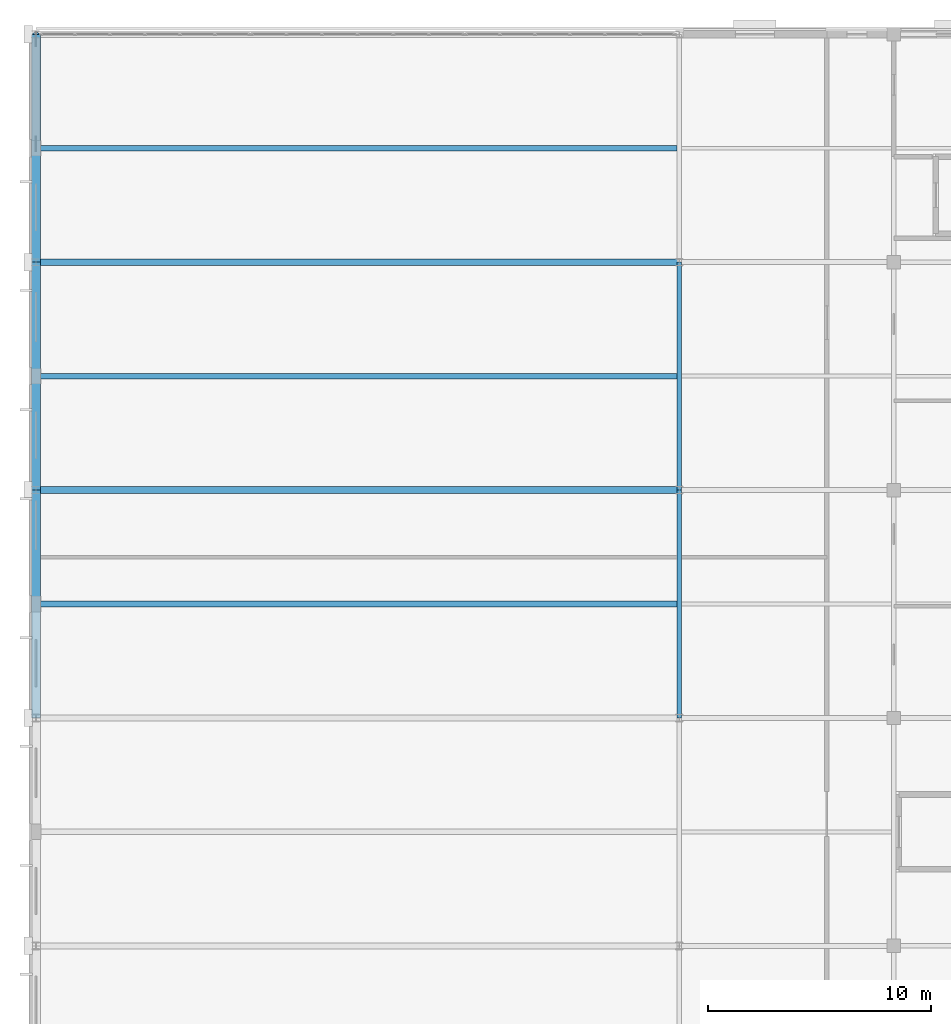
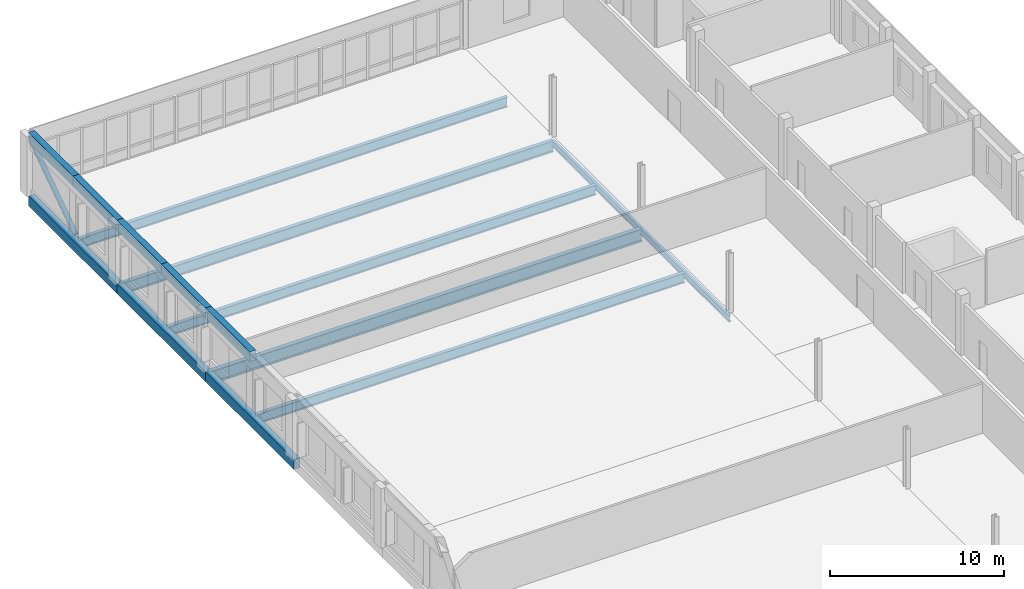
# One storey, part 65 of 185: 15 beams, 1 member.
"""IFC4 building model written with IfcOpenShell, lengths in metres."""

from ifc_helpers import new_model, si_unit, direction, frame, origin, origin_2d, place, context, subcontext, project, spatial, rectangle, hollow_circle, i_section, extrude, material, material_profile, profile_set, type_object, element, save


model = new_model("IFC4")

# Units and contexts
model_context = context("Model", 3, precision=1e-05, world=origin(), true_north=direction((0.0, 1.0)))
body_context = subcontext(model_context, "Body", "Model", "MODEL_VIEW")
ifc_project = project(units=[si_unit("LENGTHUNIT", "METRE"), si_unit("AREAUNIT", "SQUARE_METRE"), si_unit("VOLUMEUNIT", "CUBIC_METRE"), si_unit("PLANEANGLEUNIT", "RADIAN"), si_unit("MASSUNIT", "GRAM", prefix="KILO")], contexts=[model_context])

# Site, building, storey
site_placement = place(None, origin())
site = spatial("IfcSite", under=ifc_project, at=site_placement, CompositionType="ELEMENT")
building_placement = place(site_placement, origin())
building = spatial("IfcBuilding", under=site, at=building_placement, Name="Vondelvale Polytechnic", CompositionType="ELEMENT")
storey_placement = place(building_placement, frame((0.0, 0.0, 9.60009765625)))
storey = spatial("IfcBuildingStorey", under=building, at=storey_placement, Name="L02", CompositionType="ELEMENT", Elevation=9.60009765625)

# Beams
ifc_material_1 = material(Name="Steel 300PLUS (fy = 300 MPa)", Category="steel")
ifc_material_profile_1 = material_profile(ifc_material_1, i_section(OverallWidth=0.18994140625, OverallDepth=0.45703125, WebThickness=0.009033203125, FlangeThickness=0.014404296875, FilletRadius=0.011474609375, at=origin_2d()), Name="460UB74.6")
ifc_profile_set_1 = profile_set([ifc_material_profile_1], Name="Steel 300PLUS (fy = 300 MPa)")
beam_type_1 = type_object("IfcBeamType", Name="BM-UB460", PredefinedType="BEAM", material=ifc_profile_set_1)
for number, where, z_axis, x_axis, name in (
    (1, (28.800048828125, 91.800048828125, -0.508544921875), (0.0, 1.0, 0.0), (-1.0, 0.0, 0.0), "L02 B B-13"),
    (2, (28.800048828125, 102.0, -0.508544921875), (0.0, 1.0, 0.0), (-1.0, 0.0, 0.0), "L02 B B-13"),
):
    element("IfcBeam", number, at=place(storey_placement, frame(where, z_axis=z_axis, x_axis=x_axis)), inside=storey, type_object=beam_type_1, Name=name, PredefinedType="BEAM", context=body_context, shape_type="SweptSolid", body=[
        extrude(i_section(OverallWidth=0.18994140625, OverallDepth=0.45703125, WebThickness=0.009033203125, FlangeThickness=0.014404296875, FilletRadius=0.011474609375, at=origin_2d()), origin(), (0.0, 0.0, 1.0), 10.199951171875),
    ])
ifc_material_profile_2 = material_profile(ifc_material_1, i_section(OverallWidth=0.25, OverallDepth=0.69189453125, WebThickness=0.009033203125, FlangeThickness=0.011962890625, FilletRadius=0.013916015625, at=origin_2d()), Name="700WB115")
ifc_profile_set_2 = profile_set([ifc_material_profile_2], Name="Steel 300PLUS (fy = 300 MPa)")
beam_type_2 = type_object("IfcBeamType", Name="BM-WB700L", PredefinedType="BEAM", material=ifc_profile_set_2)
for number, where, z_axis, x_axis, name in (
    (3, (0.199951171875, 96.89990234375, -0.6259765625), (1.0, 0.0, 0.0), (0.0, 1.0, 0.0), "L02 J B-19"),
    (4, (0.199951171875, 107.10009765625, -0.6259765625), (1.0, 0.0, 0.0), (0.0, 1.0, 0.0), "L02 J B-19"),
    (5, (0.199951171875, 117.300048828125, -0.6259765625), (1.0, 0.0, 0.0), (0.0, 1.0, 0.0), "L02 J B-19"),
):
    element("IfcBeam", number, at=place(storey_placement, frame(where, z_axis=z_axis, x_axis=x_axis)), inside=storey, type_object=beam_type_2, Name=name, PredefinedType="BEAM", context=body_context, shape_type="SweptSolid", body=[
        extrude(i_section(OverallWidth=0.25, OverallDepth=0.69189453125, WebThickness=0.009033203125, FlangeThickness=0.011962890625, FilletRadius=0.013916015625, at=origin_2d()), origin(), (0.0, 0.0, 1.0), 28.5),
    ])
ifc_material_profile_3 = material_profile(ifc_material_1, i_section(OverallWidth=0.27490234375, OverallDepth=0.7919921875, WebThickness=0.009033203125, FlangeThickness=0.01611328125, FilletRadius=0.013916015625, at=origin_2d()), Name="800WB146")
ifc_profile_set_3 = profile_set([ifc_material_profile_3], Name="Steel 300PLUS (fy = 300 MPa)")
beam_type_3 = type_object("IfcBeamType", Name="BM-WB800L", PredefinedType="BEAM", material=ifc_profile_set_3)
beam_1_placement = place(storey_placement, frame((0.0, 112.199951171875, -0.676025390625), z_axis=(1.0, 0.0, 0.0), x_axis=(0.0, 1.0, 0.0)))
element("IfcBeam", 6, at=beam_1_placement, inside=storey, type_object=beam_type_3, Name="L02 B B-18", PredefinedType="BEAM", context=body_context, shape_type="SweptSolid", body=[
    extrude(i_section(OverallWidth=0.27490234375, OverallDepth=0.7919921875, WebThickness=0.009033203125, FlangeThickness=0.01611328125, FilletRadius=0.013916015625, at=origin_2d()), origin(), (0.0, 0.0, 1.0), 28.800048828125),
])
ifc_material_profile_4 = material_profile(ifc_material_1, i_section(OverallWidth=0.300048828125, OverallDepth=0.89990234375, WebThickness=0.011962890625, FlangeThickness=0.02392578125, FilletRadius=0.01611328125, at=origin_2d()), Name="900WB218")
ifc_profile_set_4 = profile_set([ifc_material_profile_4], Name="Steel 300PLUS (fy = 300 MPa)")
beam_type_4 = type_object("IfcBeamType", Name="BM-WB900", PredefinedType="BEAM", material=ifc_profile_set_4)
beam_2_placement = place(storey_placement, frame((0.0, 102.0, -0.72998046875), z_axis=(1.0, 0.0, 0.0), x_axis=(0.0, 1.0, 0.0)))
element("IfcBeam", 7, at=beam_2_placement, inside=storey, type_object=beam_type_4, Name="L02 B B-17", PredefinedType="BEAM", context=body_context, shape_type="SweptSolid", body=[
    extrude(i_section(OverallWidth=0.300048828125, OverallDepth=0.89990234375, WebThickness=0.011962890625, FlangeThickness=0.02392578125, FilletRadius=0.01611328125, at=origin_2d()), origin(), (0.0, 0.0, 1.0), 28.800048828125),
])

# Member
ifc_material_2 = material(Name="Steel C350L0 (fy = 350 MPa)", Category="steel")
ifc_material_profile_5 = material_profile(ifc_material_2, hollow_circle(Radius=0.161865234375, WallThickness=0.010009765625, at=origin_2d()), Name="323.9x10.0CHS")
ifc_profile_set_5 = profile_set([ifc_material_profile_5], Name="Steel C350L0 (fy = 350 MPa)")
member_type = type_object("IfcMemberType", Name="FRAME BRACE 323CHS", PredefinedType="BRACE", material=ifc_profile_set_5)
member_placement = place(storey_placement, frame((0.0, 117.300048828125, 0.039794921875), z_axis=(0.0, 0.823750710183, 0.566952173886), x_axis=(-1.0, 0.0, 0.0)))
element("IfcMember", 8, at=member_placement, inside=storey, type_object=member_type, Name="L02 workshop perimeter concentrically braced bay 7", PredefinedType="BRACE", context=body_context, shape_type="SweptSolid", body=[
    extrude(hollow_circle(Radius=0.161865234375, WallThickness=0.010009765625, at=origin_2d()), origin(), (0.0, 0.0, 1.0), 6.19091796875),
])

# Beams
ifc_material_3 = material(Name="Precast concrete N40 (f'c = 40 MPa)", Category="concrete")
ifc_material_profile_6 = material_profile(ifc_material_3, rectangle(XDim=0.39990234375, YDim=0.699951171875, at=origin_2d()), Name="RC-SPN-400x700")
ifc_profile_set_6 = profile_set([ifc_material_profile_6], Name="Precast concrete N40 (f'c = 40 MPa)")
beam_type_5 = type_object("IfcBeamType", Name="SPN-PRE400x700", PredefinedType="SPANDREL", material=ifc_profile_set_6)
for number, where, z_axis, x_axis, name in (
    (9, (0.0, 91.800048828125, -0.630126953125), (0.0, 1.0, 0.0), (-1.0, 0.0, 0.0), "L02 SP SP-01"),
    (10, (0.0, 102.0, -0.630126953125), (0.0, 1.0, 0.0), (-1.0, 0.0, 0.0), "L02 SP SP-01"),
    (11, (0.0, 112.199951171875, -0.630126953125), (0.0, 1.0, 0.0), (-1.0, 0.0, 0.0), "L02 SP SP-01"),
):
    element("IfcBeam", number, at=place(storey_placement, frame(where, z_axis=z_axis, x_axis=x_axis)), inside=storey, type_object=beam_type_5, Name=name, PredefinedType="SPANDREL", context=body_context, shape_type="SweptSolid", body=[
        extrude(rectangle(XDim=0.39990234375, YDim=0.699951171875, at=origin_2d()), origin(), (0.0, 0.0, 1.0), 10.199951171875),
    ])
for number, where, z_axis, x_axis, name in (
    (12, (0.0, 96.89990234375, 3.849853515625), (0.0, 1.0, 0.0), (-1.0, 0.0, 0.0), "L02 SP SP-01"),
    (13, (0.0, 102.0, 3.849853515625), (0.0, 1.0, 0.0), (-1.0, 0.0, 0.0), "L02 SP SP-01"),
):
    element("IfcBeam", number, at=place(storey_placement, frame(where, z_axis=z_axis, x_axis=x_axis)), inside=storey, type_object=beam_type_5, Name=name, PredefinedType="SPANDREL", context=body_context, shape_type="SweptSolid", body=[
        extrude(rectangle(XDim=0.39990234375, YDim=0.699951171875, at=origin_2d()), origin(), (0.0, 0.0, 1.0), 5.10009765625),
    ])
beam_3_placement = place(storey_placement, frame((0.0, 107.10009765625, 3.849853515625), z_axis=(0.0, 1.0, 0.0), x_axis=(-1.0, 0.0, 0.0)))
element("IfcBeam", 14, at=beam_3_placement, inside=storey, type_object=beam_type_5, Name="L02 SP SP-01", PredefinedType="SPANDREL", context=body_context, shape_type="SweptSolid", body=[
    extrude(rectangle(XDim=0.39990234375, YDim=0.699951171875, at=origin_2d()), origin(), (0.0, 0.0, 1.0), 5.099853515625),
])
beam_4_placement = place(storey_placement, frame((0.0, 112.199951171875, 3.849853515625), z_axis=(0.0, 1.0, 0.0), x_axis=(-1.0, 0.0, 0.0)))
element("IfcBeam", 15, at=beam_4_placement, inside=storey, type_object=beam_type_5, Name="L02 SP SP-01", PredefinedType="SPANDREL", context=body_context, shape_type="SweptSolid", body=[
    extrude(rectangle(XDim=0.39990234375, YDim=0.699951171875, at=origin_2d()), origin(), (0.0, 0.0, 1.0), 5.10009765625),
])
beam_5_placement = place(storey_placement, frame((0.0, 117.300048828125, 3.849853515625), z_axis=(0.0, 1.0, 0.0), x_axis=(-1.0, 0.0, 0.0)))
element("IfcBeam", 16, at=beam_5_placement, inside=storey, type_object=beam_type_5, Name="L02 SP SP-01", PredefinedType="SPANDREL", context=body_context, shape_type="SweptSolid", body=[
    extrude(rectangle(XDim=0.39990234375, YDim=0.699951171875, at=origin_2d()), origin(), (0.0, 0.0, 1.0), 5.099853515625),
])

save(model, "model.ifc")
